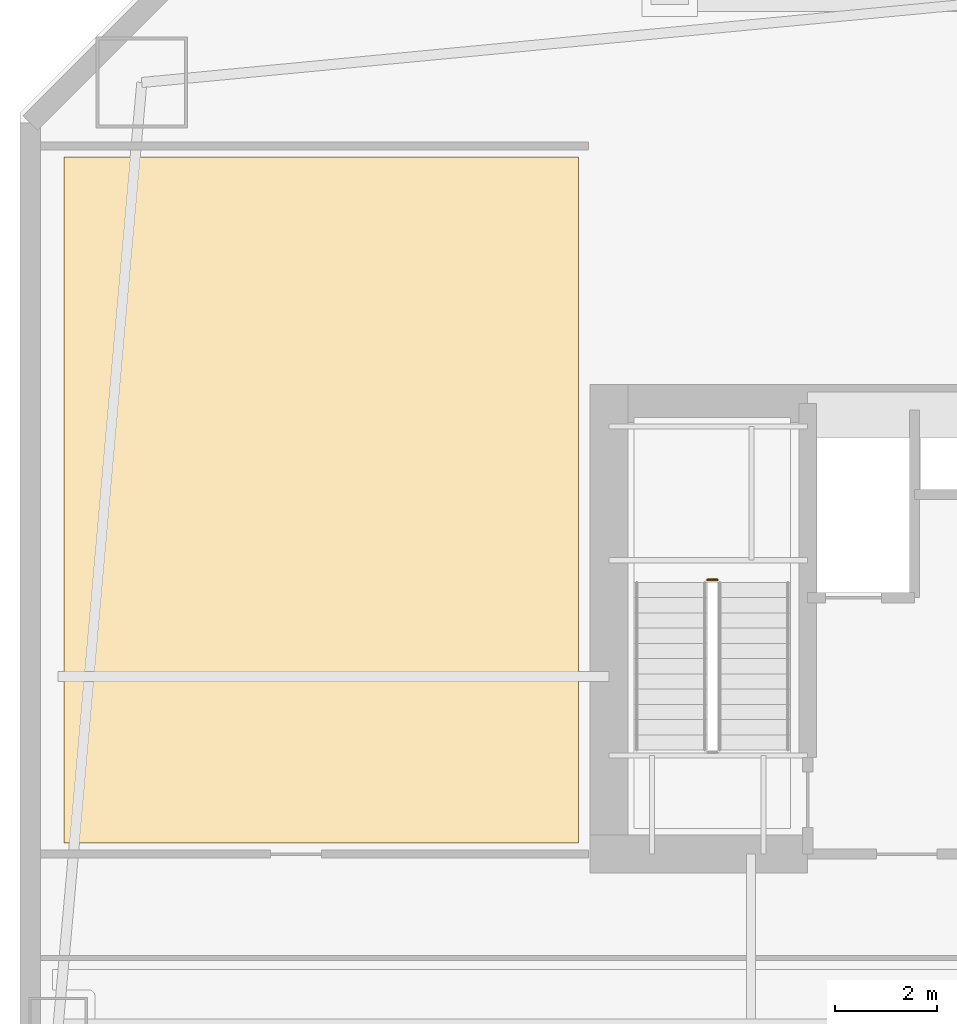
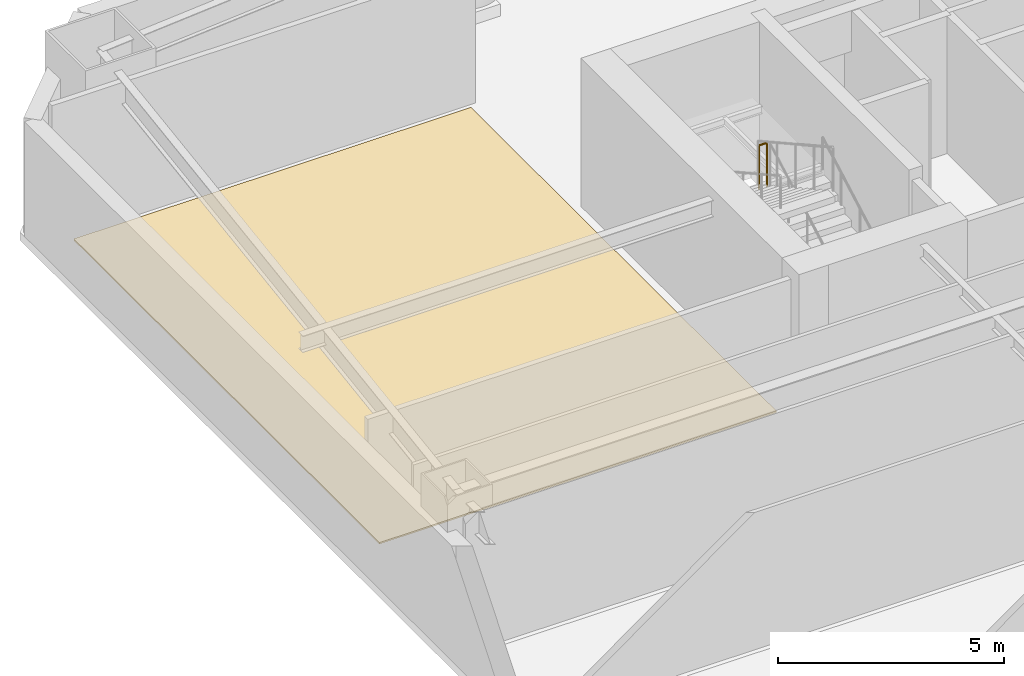
# One storey, part 13 of 18: 1 covering, 1 railing.
"""IFC4 building model written with IfcOpenShell, lengths in metres."""

from ifc_helpers import new_model, si_unit, direction, frame, origin, origin_2d, place, context, subcontext, project, spatial, polyline, circle, outline, extrude, material, layer, layer_set, type_object, element, save


model = new_model("IFC4")

# Units and contexts
model_context = context("Model", 3, precision=1e-05, world=origin(), true_north=direction((0.0, 1.0)))
body_context = subcontext(model_context, "Body", "Model", "MODEL_VIEW")
ifc_project = project(units=[si_unit("LENGTHUNIT", "METRE"), si_unit("AREAUNIT", "SQUARE_METRE"), si_unit("VOLUMEUNIT", "CUBIC_METRE"), si_unit("PLANEANGLEUNIT", "RADIAN"), si_unit("MASSUNIT", "GRAM", prefix="KILO")], contexts=[model_context])

# Site, building, storey
site_placement = place(None, origin())
site = spatial("IfcSite", under=ifc_project, at=site_placement, CompositionType="ELEMENT")
building_placement = place(site_placement, origin())
building = spatial("IfcBuilding", under=site, at=building_placement, Name="Qiaolan Cultural Towers", CompositionType="ELEMENT")
storey_placement = place(building_placement, frame((0.0, 0.0, 42.0)))
storey = spatial("IfcBuildingStorey", under=building, at=storey_placement, Name="L09", CompositionType="ELEMENT", Elevation=42.0)

# Covering
ifc_material_1 = material(Name="Honed Terrazzo & Raised Access Flooring", Category="concrete")
ifc_layer = layer(ifc_material_1, 0.0400390625)
ifc_layer_set = layer_set([ifc_layer], Name="Honed Terrazzo & Raised Access Flooring")
covering_type = type_object("IfcCoveringType", Name="COV-FLR-STONE", PredefinedType="FLOORING", material=ifc_layer_set)
covering_placement = place(storey_placement, origin())
element("IfcCovering", 1, at=covering_placement, inside=storey, type_object=covering_type, Name="L09 Corner Curatorial Research Office Finish Flooring", PredefinedType="FLOORING", context=body_context, shape_type="SweptSolid", body=[
    extrude(outline(polyline([(21.199951171875, 46.6201171875), (21.199951171875, 60.1298828125), (11.070068359375, 60.1298828125), (11.070068359375, 46.6201171875), (21.199951171875, 46.6201171875)])), origin(), (0.0, 0.0, 1.0), 0.0400390625),
])

# Railing
ifc_material_2 = material(Name="Galvanized Painted Steel Stair Guardrail", Category="steel")
railing_type = type_object("IfcRailingType", Name="RL-STAIR-GRD", PredefinedType="GUARDRAIL", material=ifc_material_2)
railing_placement = place(storey_placement, frame((23.93994140625, 51.800048828125, 2.0)))
element("IfcRailing", 2, at=railing_placement, inside=storey, type_object=railing_type, Name="L09 ST-W2 stair guard 2", PredefinedType="GUARDRAIL", context=body_context, shape_type="SweptSolid", body=[
    extrude(circle(Radius=0.02392578125, at=origin_2d()), frame((0.0, 0.0, 1.17578125), z_axis=(-1.0, 0.0, 0.0), x_axis=(0.0, -1.0, 0.0)), (0.0, 0.0, 1.0), 0.199951171875),
    extrude(circle(Radius=0.02099609375, at=origin_2d()), origin(), (0.0, 0.0, 1.0), 1.15185546875),
    extrude(circle(Radius=0.02099609375, at=origin_2d()), frame((-0.199951171875, 0.0, 0.0)), (0.0, 0.0, 1.0), 1.15185546875),
])

save(model, "model.ifc")
